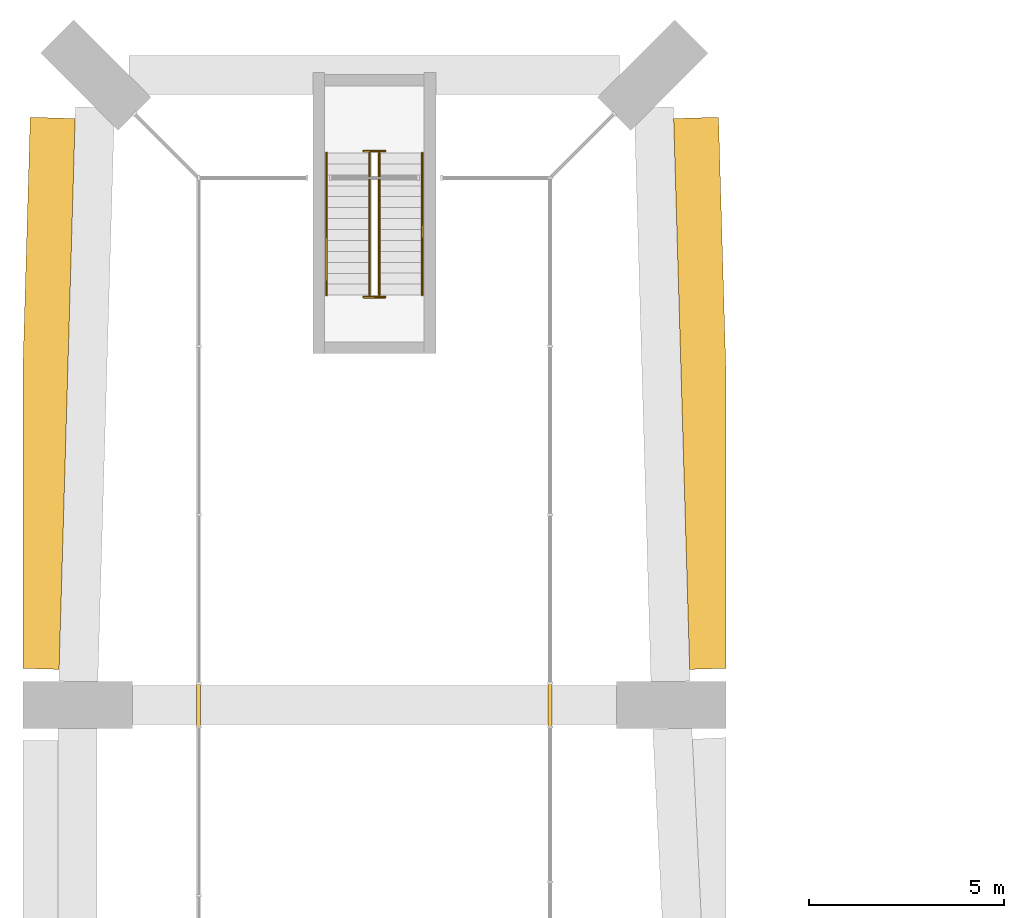
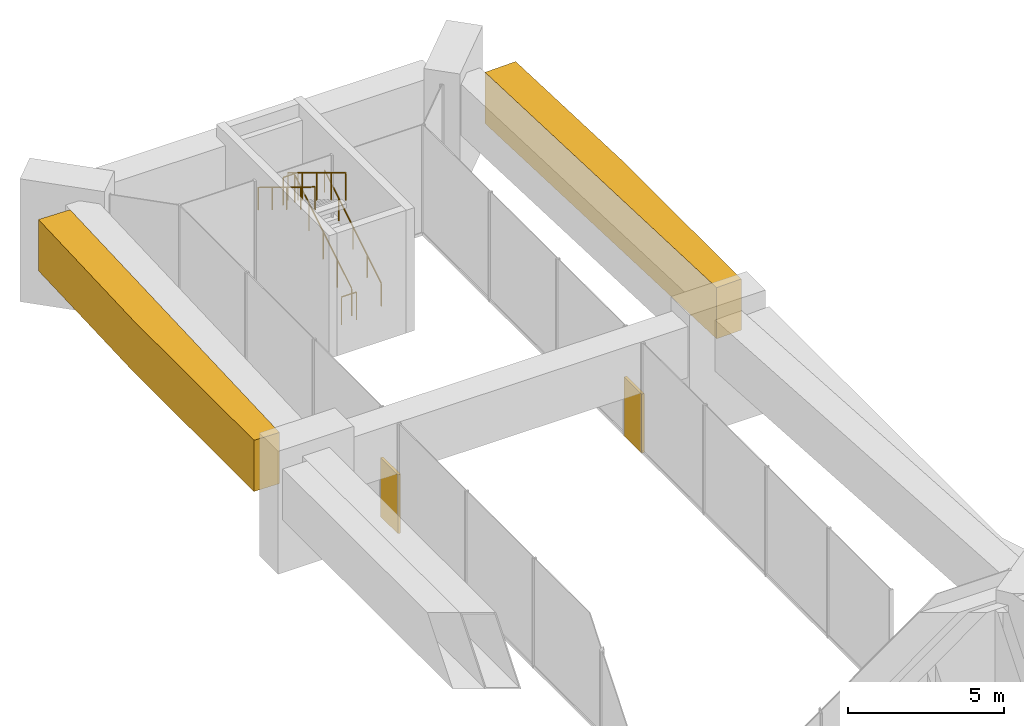
# One storey, part 13 of 13: 6 railings, 4 coverings.
"""IFC4 building model written with IfcOpenShell, lengths in metres."""

from ifc_helpers import new_model, si_unit, direction, frame, origin, origin_2d, place, context, subcontext, project, spatial, polyline, rectangle, circle, outline, extrude, material, layer, layer_set, type_object, element, save


model = new_model("IFC4")

# Units and contexts
model_context = context("Model", 3, precision=1e-05, world=origin(), true_north=direction((0.0, 1.0)))
body_context = subcontext(model_context, "Body", "Model", "MODEL_VIEW")
ifc_project = project(units=[si_unit("LENGTHUNIT", "METRE"), si_unit("AREAUNIT", "SQUARE_METRE"), si_unit("VOLUMEUNIT", "CUBIC_METRE"), si_unit("PLANEANGLEUNIT", "RADIAN"), si_unit("MASSUNIT", "GRAM", prefix="KILO")], contexts=[model_context])

# Site, building, storey
site_placement = place(None, origin())
site = spatial("IfcSite", under=ifc_project, at=site_placement, CompositionType="ELEMENT")
building_placement = place(site_placement, origin())
building = spatial("IfcBuilding", under=site, at=building_placement, Name="Plateau Cross Towers", CompositionType="ELEMENT")
storey_placement = place(building_placement, frame((0.0, 0.0, 134.60009765625)))
storey = spatial("IfcBuildingStorey", under=building, at=storey_placement, Name="L34", CompositionType="ELEMENT", Elevation=134.60009765625)

# Coverings
ifc_material_1 = material(Name="Light precast concrete cladding C40/50", Category="concrete")
covering_type_1 = type_object("IfcCoveringType", Name="Fascia girder cladding", PredefinedType="CLADDING", material=ifc_material_1)
covering_1_placement = place(storey_placement, frame((0.0, 0.0, 2.2998046875)))
element("IfcCovering", 1, at=covering_1_placement, inside=storey, type_object=covering_type_1, Name="Fascia cladding FT-W2-T1", PredefinedType="CLADDING", context=body_context, shape_type="SweptSolid", body=[
    extrude(outline(polyline([(0.186767578125, 51.054931640625), (1.336181640625, 51.021484375), (0.92626953125, 36.914306640625), (0.0, 36.94140625), (0.0, 44.629638671875), (0.186767578125, 51.054931640625)])), origin(), (0.0, 0.0, 1.0), 2.0),
])
covering_2_placement = place(storey_placement, frame((0.0, 0.0, 2.2998046875)))
element("IfcCovering", 2, at=covering_2_placement, inside=storey, type_object=covering_type_1, Name="Fascia cladding FT-E2-T1", PredefinedType="CLADDING", context=body_context, shape_type="SweptSolid", body=[
    extrude(outline(polyline([(16.663818359375, 51.021484375), (17.813232421875, 51.054931640625), (18.0, 44.629638671875), (18.0, 36.94140625), (17.07373046875, 36.914306640625), (16.663818359375, 51.021484375)])), origin(), (0.0, 0.0, 1.0), 2.0),
])
ifc_layer = layer(ifc_material_1, 0.10009765625)
ifc_layer_set = layer_set([ifc_layer], Name="Light precast concrete cladding C40/50")
covering_type_2 = type_object("IfcCoveringType", Name="Girder infill cladding 100", PredefinedType="CLADDING", material=ifc_layer_set)
for number, where, z_axis, x_axis, name in (
    (3, (13.5, 36.0, 0.0), (0.0, 0.0, 1.0), (0.0, -1.0, 0.0), "Girder infill"),
    (4, (4.5, 36.0, 0.0), (0.0, 0.0, 1.0), (0.0, 1.0, 0.0), "Girder infill"),
):
    element("IfcCovering", number, at=place(storey_placement, frame(where, z_axis=z_axis, x_axis=x_axis)), inside=storey, type_object=covering_type_2, Name=name, PredefinedType="CLADDING", context=body_context, shape_type="SweptSolid", body=[
        extrude(rectangle(XDim=1.1201171875, YDim=0.10009765625, at=origin_2d()), origin(), (0.0, 0.0, 1.0), 2.300048828125),
    ])

# Railings
ifc_material_2 = material(Name="Stainless steel and toughened glass", Category="steel")
railing_type_1 = type_object("IfcRailingType", Name="RL-GUARD-1100", PredefinedType="GUARDRAIL", material=ifc_material_2)
railing_1_placement = place(storey_placement, frame((9.125, 46.5, 0.17138671875)))
element("IfcRailing", 5, at=railing_1_placement, inside=storey, type_object=railing_type_1, Name="L34 ES-N stair guard 1", PredefinedType="GUARDRAIL", context=body_context, shape_type="SweptSolid", body=[
    extrude(circle(Radius=0.02392578125, at=origin_2d()), frame((0.0, 0.0, 1.076171875), z_axis=(0.0, 0.852850264322, 0.5221555579), x_axis=(-1.0, 0.0, 0.0)), (0.0, 0.0, 1.0), 4.267822265625),
    extrude(circle(Radius=0.02099609375, at=origin_2d()), origin(), (0.0, 0.0, 1.0), 1.052001953125),
    extrude(circle(Radius=0.02099609375, at=origin_2d()), frame((0.0, 0.909912109375, 0.55712890625)), (0.0, 0.0, 1.0), 1.052001953125),
    extrude(circle(Radius=0.02099609375, at=origin_2d()), frame((0.0, 1.81982421875, 1.1142578125)), (0.0, 0.0, 1.0), 1.052001953125),
    extrude(circle(Radius=0.02099609375, at=origin_2d()), frame((0.0, 2.72998046875, 1.67138671875)), (0.0, 0.0, 1.0), 1.052001953125),
    extrude(circle(Radius=0.02099609375, at=origin_2d()), frame((0.0, 3.639892578125, 2.228515625)), (0.0, 0.0, 1.0), 1.052001953125),
])
railing_2_placement = place(storey_placement, frame((9.27490234375, 50.18994140625, 2.39990234375)))
element("IfcRailing", 6, at=railing_2_placement, inside=storey, type_object=railing_type_1, Name="L34 ES-N stair guard 2", PredefinedType="GUARDRAIL", context=body_context, shape_type="SweptSolid", body=[
    extrude(circle(Radius=0.02392578125, at=origin_2d()), frame((0.0, 0.0, 1.076171875), z_axis=(-1.0, 0.0, 0.0), x_axis=(0.0, -1.0, 0.0)), (0.0, 0.0, 1.0), 0.5498046875),
    extrude(circle(Radius=0.02099609375, at=origin_2d()), origin(), (0.0, 0.0, 1.0), 1.052001953125),
    extrude(circle(Radius=0.02099609375, at=origin_2d()), frame((-0.5498046875, 0.0, 0.0)), (0.0, 0.0, 1.0), 1.052001953125),
])
railing_3_placement = place(storey_placement, frame((8.875, 50.139892578125, 2.5712890625)))
element("IfcRailing", 7, at=railing_3_placement, inside=storey, type_object=railing_type_1, Name="L34 ES-N stair guard 3", PredefinedType="GUARDRAIL", context=body_context, shape_type="SweptSolid", body=[
    extrude(circle(Radius=0.02392578125, at=origin_2d()), frame((0.0, 0.0, 1.076171875), z_axis=(0.0, -0.856000133688, 0.516975600126), x_axis=(1.0, 0.0, 0.0)), (0.0, 0.0, 1.0), 4.310791015625),
    extrude(circle(Radius=0.02099609375, at=origin_2d()), origin(), (0.0, 0.0, 1.0), 1.052001953125),
    extrude(circle(Radius=0.02099609375, at=origin_2d()), frame((0.0, -0.92236328125, 0.55712890625)), (0.0, 0.0, 1.0), 1.052001953125),
    extrude(circle(Radius=0.02099609375, at=origin_2d()), frame((0.0, -1.844970703125, 1.1142578125)), (0.0, 0.0, 1.0), 1.052001953125),
    extrude(circle(Radius=0.02099609375, at=origin_2d()), frame((0.0, -2.767578125, 1.67138671875)), (0.0, 0.0, 1.0), 1.052001953125),
    extrude(circle(Radius=0.02099609375, at=origin_2d()), frame((0.0, -3.68994140625, 2.228515625)), (0.0, 0.0, 1.0), 1.052001953125),
])
railing_4_placement = place(storey_placement, frame((9.27490234375, 46.449951171875, 0.0)))
element("IfcRailing", 8, at=railing_4_placement, inside=storey, type_object=railing_type_1, Name="L34 ES-N stair guard 4", PredefinedType="GUARDRAIL", context=body_context, shape_type="SweptSolid", body=[
    extrude(circle(Radius=0.02392578125, at=origin_2d()), frame((0.0, 0.0, 1.076171875), z_axis=(-1.0, 0.0, 0.0), x_axis=(0.0, -1.0, 0.0)), (0.0, 0.0, 1.0), 0.5498046875),
    extrude(circle(Radius=0.02099609375, at=origin_2d()), origin(), (0.0, 0.0, 1.0), 1.052001953125),
    extrude(circle(Radius=0.02099609375, at=origin_2d()), frame((-0.5498046875, 0.0, 0.0)), (0.0, 0.0, 1.0), 1.052001953125),
])
ifc_material_3 = material(Name="Black anodised aluminium", Category="aluminium")
railing_type_2 = type_object("IfcRailingType", Name="RL-HANDRAIL-900", PredefinedType="HANDRAIL", material=ifc_material_3)
railing_5_placement = place(storey_placement, frame((10.22509765625, 46.5, 0.17138671875)))
element("IfcRailing", 9, at=railing_5_placement, inside=storey, type_object=railing_type_2, Name="L34 ES-N stair handrail 1", PredefinedType="HANDRAIL", context=body_context, shape_type="SweptSolid", body=[
    extrude(circle(Radius=0.02392578125, at=origin_2d()), frame((0.0, 0.0, 0.8759765625), z_axis=(0.0, 0.852850264322, 0.5221555579), x_axis=(-1.0, 0.0, 0.0)), (0.0, 0.0, 1.0), 4.267822265625),
    extrude(circle(Radius=0.02099609375, at=origin_2d()), origin(), (0.0, 0.0, 1.0), 0.851806640625),
    extrude(circle(Radius=0.02099609375, at=origin_2d()), frame((0.0, 0.909912109375, 0.55712890625)), (0.0, 0.0, 1.0), 0.851806640625),
    extrude(circle(Radius=0.02099609375, at=origin_2d()), frame((0.0, 1.81982421875, 1.1142578125)), (0.0, 0.0, 1.0), 0.851806640625),
    extrude(circle(Radius=0.02099609375, at=origin_2d()), frame((0.0, 2.72998046875, 1.67138671875)), (0.0, 0.0, 1.0), 0.851806640625),
    extrude(circle(Radius=0.02099609375, at=origin_2d()), frame((0.0, 3.639892578125, 2.228515625)), (0.0, 0.0, 1.0), 0.851806640625),
])
railing_6_placement = place(storey_placement, frame((7.77490234375, 50.139892578125, 2.5712890625)))
element("IfcRailing", 10, at=railing_6_placement, inside=storey, type_object=railing_type_2, Name="L34 ES-N stair handrail 2", PredefinedType="HANDRAIL", context=body_context, shape_type="SweptSolid", body=[
    extrude(circle(Radius=0.02392578125, at=origin_2d()), frame((0.0, 0.0, 0.8759765625), z_axis=(0.0, -0.852850264322, 0.5221555579), x_axis=(1.0, 0.0, 0.0)), (0.0, 0.0, 1.0), 4.267822265625),
    extrude(circle(Radius=0.02099609375, at=origin_2d()), origin(), (0.0, 0.0, 1.0), 0.851806640625),
    extrude(circle(Radius=0.02099609375, at=origin_2d()), frame((0.0, -0.909912109375, 0.55712890625)), (0.0, 0.0, 1.0), 0.851806640625),
    extrude(circle(Radius=0.02099609375, at=origin_2d()), frame((0.0, -1.81982421875, 1.1142578125)), (0.0, 0.0, 1.0), 0.851806640625),
    extrude(circle(Radius=0.02099609375, at=origin_2d()), frame((0.0, -2.72998046875, 1.67138671875)), (0.0, 0.0, 1.0), 0.851806640625),
    extrude(circle(Radius=0.02099609375, at=origin_2d()), frame((0.0, -3.639892578125, 2.228515625)), (0.0, 0.0, 1.0), 0.851806640625),
])

save(model, "model.ifc")
